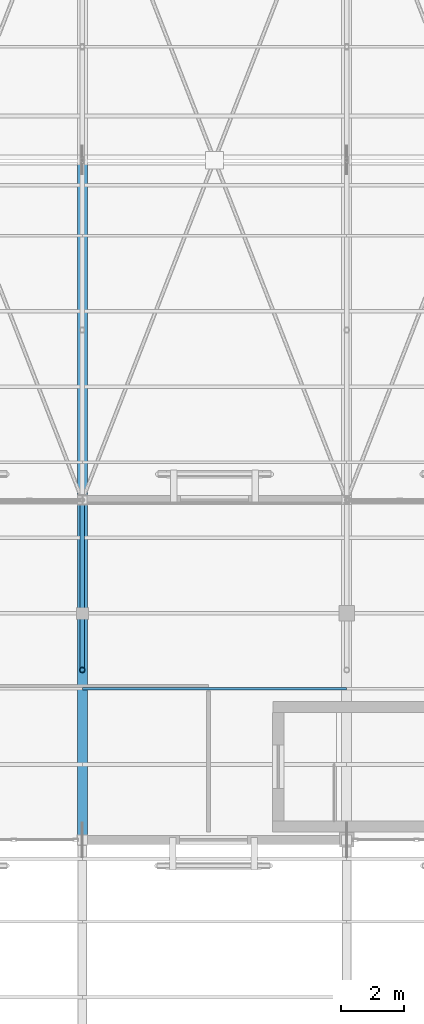
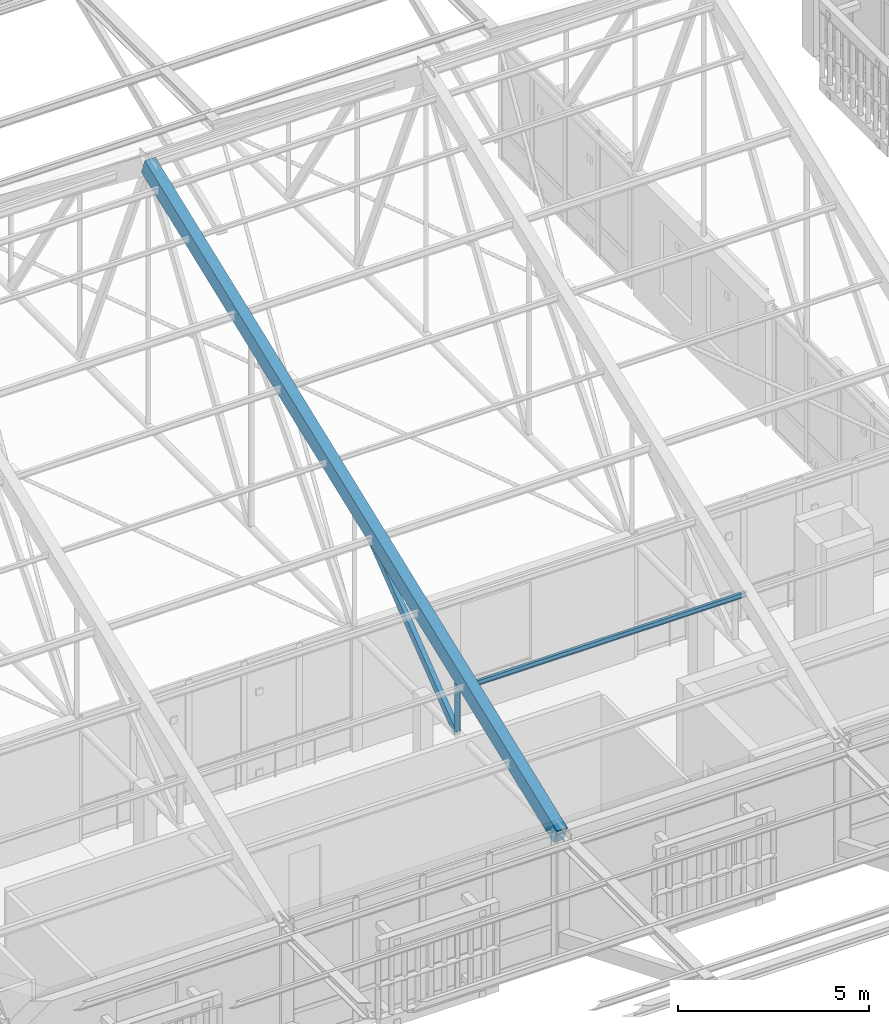
# One storey, part 99 of 217: 4 members.
"""IFC4 building model written with IfcOpenShell, lengths in metres."""

import ifcopenshell
import ifcopenshell.guid

model = None  # the IFC model being written
_history = None  # IfcOwnerHistory: only IFC2X3 demands one
_inside = {}  # id of a spatial element -> (the spatial element, [elements in it])
_under = {}  # id of a project, library or spatial element -> (it, [spatial elements below it])
_declared = {}  # id of a project -> (the project, [libraries it declares])
_typed = {}  # id of a type object -> (the type object, [elements of that type])
_made_of = {}  # id of a material, layer set ... -> (it, [elements and type objects made of it])


def new_model(schema):
    """Start an empty IFC model of exactly this schema.

    Asked for "IFC4X3", IfcOpenShell would pick the latest addendum, in which some entities
    have other attributes; the version numbers below select the first issue.
    IFC2X3 requires an IfcOwnerHistory on every rooted entity: one is made here for all.
    """
    global model, _history
    if schema == "IFC4X3":
        model = ifcopenshell.file(schema_version=(4, 3, 0, 0))
    else:
        model = ifcopenshell.file(schema=schema)
    _inside.clear()
    _under.clear()
    _declared.clear()
    _typed.clear()
    _made_of.clear()
    _history = None
    if model.schema == "IFC2X3":
        org = make("IfcOrganization", Name="unknown")
        user = make(
            "IfcPersonAndOrganization",
            ThePerson=make("IfcPerson", FamilyName="unknown"),
            TheOrganization=org,
        )
        app = make(
            "IfcApplication",
            ApplicationDeveloper=org,
            Version="unknown",
            ApplicationFullName="unknown",
            ApplicationIdentifier="unknown",
        )
        _history = make(
            "IfcOwnerHistory",
            OwningUser=user,
            OwningApplication=app,
            ChangeAction="ADDED",
            CreationDate=0,
        )
    return model


def make(cls, **values):
    """One entity of the class cls with the attributes given. An attribute that is None is left unset."""
    return model.create_entity(
        cls, **{name: value for name, value in values.items() if value is not None}
    )


def rooted(cls, **values):
    """An entity with a GlobalId (a new one), such as an element, a storey or a relation."""
    return make(cls, GlobalId=ifcopenshell.guid.new(), OwnerHistory=_history, **values)


def si_unit(unit_type, name, prefix=None):
    """IfcSIUnit, for example si_unit("LENGTHUNIT", "METRE", prefix="MILLI")."""
    return make("IfcSIUnit", UnitType=unit_type, Prefix=prefix, Name=name)


def assignment(units):
    """IfcUnitAssignment: the units of a project."""
    return None if units is None else make("IfcUnitAssignment", Units=units)


def point(xyz):
    """IfcCartesianPoint."""
    return None if xyz is None else make("IfcCartesianPoint", Coordinates=xyz)


def direction(xyz):
    """IfcDirection."""
    return None if xyz is None else make("IfcDirection", DirectionRatios=xyz)


def frame(location, z_axis=None, x_axis=None):
    """IfcAxis2Placement3D, a coordinate frame: its origin and axes. An axis left out is left unset."""
    return make(
        "IfcAxis2Placement3D",
        Location=point(location),
        Axis=direction(z_axis),
        RefDirection=direction(x_axis),
    )


def frame_2d(location, x_axis=None):
    """IfcAxis2Placement2D, a coordinate frame in the plane: its origin and x axis."""
    return make(
        "IfcAxis2Placement2D", Location=point(location), RefDirection=direction(x_axis)
    )


def origin():
    """The frame at (0, 0, 0) with its axes left unset."""
    return frame((0.0, 0.0, 0.0))


def origin_2d():
    """The frame at (0, 0) in the plane with its x axis left unset."""
    return frame_2d((0.0, 0.0))


def place(relative_to, where):
    """IfcLocalPlacement: puts the frame where relative to a parent placement (None: the world)."""
    return make(
        "IfcLocalPlacement", PlacementRelTo=relative_to, RelativePlacement=where
    )


def context(
    kind, dimensions, precision=None, world=None, true_north=None, identifier=None
):
    """IfcGeometricRepresentationContext, for example the 3D "Model" context."""
    return make(
        "IfcGeometricRepresentationContext",
        ContextIdentifier=identifier,
        ContextType=kind,
        CoordinateSpaceDimension=dimensions,
        Precision=precision,
        WorldCoordinateSystem=world,
        TrueNorth=true_north,
    )


def subcontext(parent, identifier, kind, view, scale=None):
    """IfcGeometricRepresentationSubContext, for example "Body" below "Model"."""
    return make(
        "IfcGeometricRepresentationSubContext",
        ContextIdentifier=identifier,
        ContextType=kind,
        ParentContext=parent,
        TargetScale=scale,
        TargetView=view,
    )


def project(units=None, contexts=None):
    """IfcProject with its units and contexts."""
    return rooted(
        "IfcProject",
        Name="project",
        RepresentationContexts=contexts,
        UnitsInContext=assignment(units),
    )


def spatial(cls, under=None, at=None, **own):
    """A site, building, storey or space (cls), placed at a placement, below another one or the project."""
    s = rooted(cls, ObjectPlacement=at, **own)
    if under is not None:
        _under.setdefault(under.id(), (under, []))[1].append(s)
    return s


def profile(cls, at=None, kind="AREA", **sizes):
    """A parametric profile (cls). Its sizes go by their IFC names, for example OverallWidth=200.0."""
    return make(cls, ProfileType=kind, Position=at, **sizes)


def rectangle(**sizes):
    """IfcRectangleProfileDef."""
    return profile("IfcRectangleProfileDef", **sizes)


def hollow_rectangle(**sizes):
    """IfcRectangleHollowProfileDef."""
    return profile("IfcRectangleHollowProfileDef", **sizes)


def hollow_circle(**sizes):
    """IfcCircleHollowProfileDef."""
    return profile("IfcCircleHollowProfileDef", **sizes)


def i_section(**sizes):
    """IfcIShapeProfileDef."""
    return profile("IfcIShapeProfileDef", **sizes)


def extrude(swept, where, along, depth):
    """IfcExtrudedAreaSolid: the profile swept, set in the frame where, extruded along a direction by depth."""
    return make(
        "IfcExtrudedAreaSolid",
        SweptArea=swept,
        Position=where,
        ExtrudedDirection=direction(along),
        Depth=depth,
    )


def shape(context_of_items, identifier, shape_type, items):
    """IfcShapeRepresentation: the items that make up one representation, for example the "Body"."""
    return make(
        "IfcShapeRepresentation",
        ContextOfItems=context_of_items,
        RepresentationIdentifier=identifier,
        RepresentationType=shape_type,
        Items=items,
    )


def material(Name=None, Category=None):
    """IfcMaterial."""
    return make("IfcMaterial", Name=Name, Category=Category)


def material_profile(
    of_material, cross_section, Name=None, Category=None, Priority=None
):
    """IfcMaterialProfile: a cross section and its material."""
    return make(
        "IfcMaterialProfile",
        Name=Name,
        Material=of_material,
        Profile=cross_section,
        Priority=Priority,
        Category=Category,
    )


def profile_set(profiles, Name=None, composite=None):
    """IfcMaterialProfileSet."""
    return make(
        "IfcMaterialProfileSet",
        Name=Name,
        MaterialProfiles=profiles,
        CompositeProfile=composite,
    )


def made_of(thing, what):
    """Note that an element or type object is made of a material, layer set ...; save() writes the relation."""
    if what is not None:
        _made_of.setdefault(what.id(), (what, []))[1].append(thing)
    return thing


def type_object(cls, material=None, **own):
    """A type object (cls), such as IfcWallType, which elements share."""
    return made_of(rooted(cls, **own), material)


def element(
    cls,
    number,
    at=None,
    inside=None,
    cuts=None,
    type_object=None,
    material=None,
    context=None,
    identifier="Body",
    shape_type=None,
    held_by="IfcProductDefinitionShape",
    body=None,
    shapes=None,
    **own,
):
    """One element of the class cls, such as IfcWall. Its Tag is "e" and its number.

    at: its placement. inside: the storey or other place that contains it. cuts: it is an
    opening in that element (IfcRelVoidsElement). A single representation is given by context,
    identifier, shape_type and body (its items); several are given by shapes. held_by: the class
    of the entity that holds the representations. save() writes the other relations.
    """
    e = rooted(cls, Tag="e%d" % number, ObjectPlacement=at, **own)
    if body is not None:
        shapes = [shape(context, identifier, shape_type, body)]
    if shapes is not None:
        e.Representation = make(held_by, Representations=shapes)
    if inside is not None:
        _inside.setdefault(inside.id(), (inside, []))[1].append(e)
    if cuts is not None:
        rooted(
            "IfcRelVoidsElement", RelatingBuildingElement=cuts, RelatedOpeningElement=e
        )
    if type_object is not None:
        _typed.setdefault(type_object.id(), (type_object, []))[1].append(e)
    return made_of(e, material)


def aggregate(whole, parts):
    """IfcRelAggregates: a whole, such as a stair, and the parts it consists of."""
    return rooted("IfcRelAggregates", RelatingObject=whole, RelatedObjects=parts)


def save(model, path):
    """Write the relations noted so far, then the file.

    IfcRelAggregates (storeys below a building ...), IfcRelContainedInSpatialStructure (elements
    in a storey), IfcRelDefinesByType, IfcRelAssociatesMaterial and IfcRelDeclares: one each for
    every whole, place, type object, material and project.
    """
    for whole, parts in _under.values():
        aggregate(whole, parts)
    for where, things in _inside.values():
        rooted(
            "IfcRelContainedInSpatialStructure",
            RelatedElements=things,
            RelatingStructure=where,
        )
    for kind, things in _typed.values():
        rooted("IfcRelDefinesByType", RelatedObjects=things, RelatingType=kind)
    for what, things in _made_of.values():
        rooted("IfcRelAssociatesMaterial", RelatedObjects=things, RelatingMaterial=what)
    for by, libraries in _declared.values():
        rooted("IfcRelDeclares", RelatingContext=by, RelatedDefinitions=libraries)
    model.write(path)


model = new_model("IFC4")

# Units and contexts
model_context = context("Model", 3, precision=1e-05, world=origin(), true_north=direction((0.0, 1.0)))
body_context = subcontext(model_context, "Body", "Model", "MODEL_VIEW")
ifc_project = project(units=[si_unit("LENGTHUNIT", "METRE"), si_unit("AREAUNIT", "SQUARE_METRE"), si_unit("VOLUMEUNIT", "CUBIC_METRE"), si_unit("PLANEANGLEUNIT", "RADIAN"), si_unit("MASSUNIT", "GRAM", prefix="KILO")], contexts=[model_context])

# Site, building, storey
site_placement = place(None, origin())
site = spatial("IfcSite", under=ifc_project, at=site_placement, CompositionType="ELEMENT")
building_placement = place(site_placement, origin())
building = spatial("IfcBuilding", under=site, at=building_placement, Name="Mazaris Harbour Polytechnic", CompositionType="ELEMENT")
storey_placement = place(building_placement, frame((0.0, 0.0, 9.60009765625)))
storey = spatial("IfcBuildingStorey", under=building, at=storey_placement, Name="L02", CompositionType="ELEMENT", Elevation=9.60009765625)

# Members
ifc_material_1 = material(Name="Glulam GL32h", Category="wood")
ifc_material_profile_1 = material_profile(ifc_material_1, rectangle(XDim=0.320068359375, YDim=0.52001953125, at=origin_2d()), Name="RECT320x520")
ifc_profile_set_1 = profile_set([ifc_material_profile_1], Name="Glulam GL32h")
member_type_1 = type_object("IfcMemberType", Name="Glulam Top Chord 320x520", PredefinedType="CHORD", material=ifc_profile_set_1)
member_1_placement = place(storey_placement, frame((96.0, 75.60009765625, 3.75), z_axis=(0.0, 0.93273343771, 0.360566684786), x_axis=(-1.0, 0.0, 0.0)))
element("IfcMember", 1, at=member_1_placement, inside=storey, type_object=member_type_1, Name="Truss 6 South Glulam Top Chord", PredefinedType="CHORD", context=body_context, shape_type="SweptSolid", body=[
    extrude(rectangle(XDim=0.320068359375, YDim=0.52001953125, at=origin_2d()), origin(), (0.0, 0.0, 1.0), 23.157470703125),
])
ifc_material_2 = material(Name="Steel S355", Category="steel")
ifc_material_profile_2 = material_profile(ifc_material_2, i_section(OverallWidth=0.08203125, OverallDepth=0.159912109375, WebThickness=0.0048828125, FlangeThickness=0.00732421875, FilletRadius=0.009033203125, at=origin_2d()), Name="IPE 160")
ifc_profile_set_2 = profile_set([ifc_material_profile_2], Name="Steel S355")
member_type_2 = type_object("IfcMemberType", Name="Steel Purlin IPE160", PredefinedType="PURLIN", material=ifc_profile_set_2)
member_2_placement = place(storey_placement, frame((96.0, 80.39990234375, 5.637939453125), z_axis=(1.0, 0.0, 0.0), x_axis=(0.0, 1.0, 0.0)))
element("IfcMember", 2, at=member_2_placement, inside=storey, type_object=member_type_2, Name="V1 Roof Purlin S-111", PredefinedType="PURLIN", context=body_context, shape_type="SweptSolid", body=[
    extrude(i_section(OverallWidth=0.08203125, OverallDepth=0.159912109375, WebThickness=0.0048828125, FlangeThickness=0.00732421875, FilletRadius=0.009033203125, at=origin_2d()), origin(), (0.0, 0.0, 1.0), 8.39990234375),
])
ifc_material_3 = material(Name="Steel S355", Category="steel")
ifc_material_profile_3 = material_profile(ifc_material_3, hollow_rectangle(XDim=0.139892578125, YDim=0.239990234375, WallThickness=0.010009765625, at=origin_2d()), Name="RHS 140x240x10.0")
ifc_profile_set_3 = profile_set([ifc_material_profile_3], Name="Steel S355")
member_type_3 = type_object("IfcMemberType", Name="Steel Truss Diagonal RHS140x240", PredefinedType="BRACE", material=ifc_profile_set_3)
member_3_placement = place(storey_placement, frame((96.0, 81.0, 3.75), z_axis=(0.0, 0.791132369746, 0.611644973445), x_axis=(-1.0, 0.0, 0.0)))
element("IfcMember", 3, at=member_3_placement, inside=storey, type_object=member_type_3, Name="Truss 6 Web Diagonal S2", PredefinedType="BRACE", context=body_context, shape_type="SweptSolid", body=[
    extrude(hollow_rectangle(XDim=0.139892578125, YDim=0.239990234375, WallThickness=0.010009765625, at=origin_2d()), origin(), (0.0, 0.0, 1.0), 6.825439453125),
])
ifc_material_4 = material(Name="Steel S355", Category="steel")
ifc_material_profile_4 = material_profile(ifc_material_4, hollow_circle(Radius=0.084228515625, WallThickness=0.008056640625, at=origin_2d()), Name="CHS 168.3x8.0")
ifc_profile_set_4 = profile_set([ifc_material_profile_4], Name="Steel S355")
member_type_4 = type_object("IfcMemberType", Name="Steel Truss Strut CHS168", PredefinedType="STRUT", material=ifc_profile_set_4)
member_4_placement = place(storey_placement, frame((96.0, 81.0, 3.75), z_axis=(0.0, 0.0, 1.0), x_axis=(1.0, 0.0, 0.0)))
element("IfcMember", 4, at=member_4_placement, inside=storey, type_object=member_type_4, Name="Truss 6 Web Post S1", PredefinedType="STRUT", context=body_context, shape_type="SweptSolid", body=[
    extrude(hollow_circle(Radius=0.084228515625, WallThickness=0.008056640625, at=origin_2d()), origin(), (0.0, 0.0, 1.0), 2.08740234375),
])

save(model, "model.ifc")
